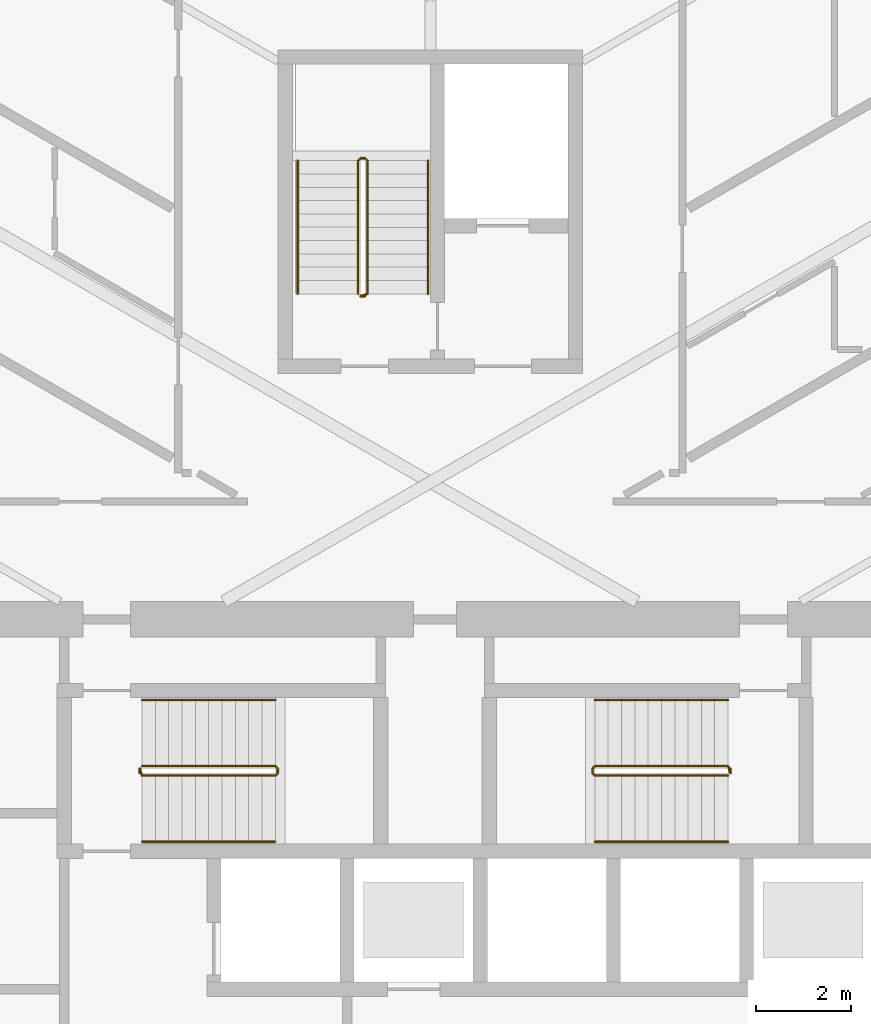
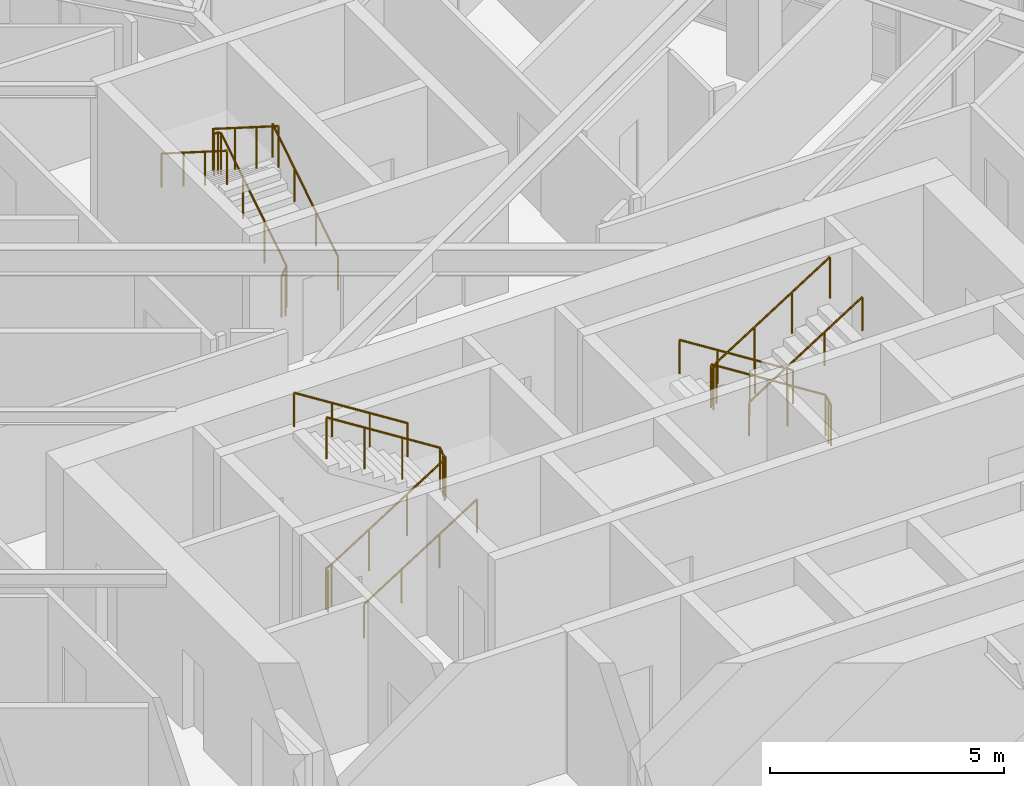
# One storey, part 25 of 26: 9 railings.
"""IFC4 building model written with IfcOpenShell, lengths in metres."""

from ifc_helpers import new_model, si_unit, direction, frame, origin, origin_2d, place, context, subcontext, project, spatial, circle, extrude, material, type_object, element, save


model = new_model("IFC4")

# Units and contexts
model_context = context("Model", 3, precision=1e-05, world=origin(), true_north=direction((0.0, 1.0)))
body_context = subcontext(model_context, "Body", "Model", "MODEL_VIEW")
ifc_project = project(units=[si_unit("LENGTHUNIT", "METRE"), si_unit("AREAUNIT", "SQUARE_METRE"), si_unit("VOLUMEUNIT", "CUBIC_METRE"), si_unit("PLANEANGLEUNIT", "RADIAN"), si_unit("MASSUNIT", "GRAM", prefix="KILO")], contexts=[model_context])

# Site, building, storey
site_placement = place(None, origin())
site = spatial("IfcSite", under=ifc_project, at=site_placement, CompositionType="ELEMENT")
building_placement = place(site_placement, origin())
building = spatial("IfcBuilding", under=site, at=building_placement, Name="Firuza Gate Tower and Library", CompositionType="ELEMENT")
storey_placement = place(building_placement, frame((0.0, 0.0, 155.800048828125)))
storey = spatial("IfcBuildingStorey", under=building, at=storey_placement, Name="L35", CompositionType="ELEMENT", Elevation=155.800048828125)

# Railings
ifc_material_1 = material(Name="Steel S355", Category="steel")
railing_type_1 = type_object("IfcRailingType", Name="Stair guard 1100", PredefinedType="GUARDRAIL", material=ifc_material_1)
railing_1_placement = place(storey_placement, frame((68.889892578125, 79.389892578125, 0.0)))
element("IfcRailing", 1, at=railing_1_placement, inside=storey, type_object=railing_type_1, Name="L35 ST1 stair guard 1", PredefinedType="GUARDRAIL", context=body_context, shape_type="SweptSolid", body=[
    extrude(circle(Radius=0.02392578125, at=origin_2d()), frame((0.0, 0.0, 1.076171875), z_axis=(0.0, 1.0, 0.0), x_axis=(-1.0, 0.0, 0.0)), (0.0, 0.0, 1.0), 0.10009765625),
    extrude(circle(Radius=0.02392578125, at=origin_2d()), frame((0.0, 0.10009765625, 1.076171875), z_axis=(0.210758951027, -0.631248760638, 0.74639511437), x_axis=(0.948528701346, 0.316691178788, 0.0)), (0.0, 0.0, 1.0), 0.237548828125),
    extrude(circle(Radius=0.02392578125, at=origin_2d()), frame((0.050048828125, -0.0498046875, 1.25341796875), z_axis=(0.844908973607, 0.0, 0.534910110503), x_axis=(0.0, 1.0, 0.0)), (0.0, 0.0, 1.0), 3.31396484375),
    extrude(circle(Radius=0.02392578125, at=origin_2d()), frame((2.85009765625, -0.0498046875, 3.02587890625), z_axis=(0.708833529934, 0.705375805398, 0.0), x_axis=(-0.705375805398, 0.708833529934, 0.0)), (0.0, 0.0, 1.0), 0.070556640625),
    extrude(circle(Radius=0.02392578125, at=origin_2d()), frame((2.900146484375, 0.0, 3.02587890625), z_axis=(0.0, 1.0, 0.0), x_axis=(-1.0, 0.0, 0.0)), (0.0, 0.0, 1.0), 0.10009765625),
    extrude(circle(Radius=0.02392578125, at=origin_2d()), frame((2.900146484375, 0.10009765625, 3.02587890625), z_axis=(-0.262233686654, 0.262233686654, 0.928691007369), x_axis=(-0.707106781187, -0.707106781187, 0.0)), (0.0, 0.0, 1.0), 0.19091796875),
    extrude(circle(Radius=0.02392578125, at=origin_2d()), frame((2.85009765625, 0.150146484375, 3.203125), z_axis=(-0.844908973607, 0.0, 0.534910110503), x_axis=(0.0, -1.0, 0.0)), (0.0, 0.0, 1.0), 3.31396484375),
    extrude(circle(Radius=0.02099609375, at=origin_2d()), origin(), (0.0, 0.0, 1.0), 1.052001953125),
    extrude(circle(Radius=0.02099609375, at=origin_2d()), frame((0.0, 0.10009765625, 0.0)), (0.0, 0.0, 1.0), 1.052001953125),
    extrude(circle(Radius=0.02099609375, at=origin_2d()), frame((0.050048828125, -0.0498046875, 0.17724609375)), (0.0, 0.0, 1.0), 1.052001953125),
    extrude(circle(Radius=0.02099609375, at=origin_2d()), frame((0.9833984375, -0.0498046875, 0.76806640625)), (0.0, 0.0, 1.0), 1.052001953125),
    extrude(circle(Radius=0.02099609375, at=origin_2d()), frame((1.916748046875, -0.0498046875, 1.359130859375)), (0.0, 0.0, 1.0), 1.052001953125),
    extrude(circle(Radius=0.02099609375, at=origin_2d()), frame((2.85009765625, -0.0498046875, 1.949951171875)), (0.0, 0.0, 1.0), 1.052001953125),
    extrude(circle(Radius=0.02099609375, at=origin_2d()), frame((2.900146484375, 0.0, 1.949951171875)), (0.0, 0.0, 1.0), 1.052001953125),
    extrude(circle(Radius=0.02099609375, at=origin_2d()), frame((2.900146484375, 0.10009765625, 1.949951171875)), (0.0, 0.0, 1.0), 1.052001953125),
    extrude(circle(Radius=0.02099609375, at=origin_2d()), frame((2.85009765625, 0.150146484375, 2.127197265625)), (0.0, 0.0, 1.0), 1.052001953125),
    extrude(circle(Radius=0.02099609375, at=origin_2d()), frame((1.916748046875, 0.150146484375, 2.718017578125)), (0.0, 0.0, 1.0), 1.052001953125),
    extrude(circle(Radius=0.02099609375, at=origin_2d()), frame((0.9833984375, 0.150146484375, 3.30908203125)), (0.0, 0.0, 1.0), 1.052001953125),
    extrude(circle(Radius=0.02099609375, at=origin_2d()), frame((0.050048828125, 0.150146484375, 3.89990234375)), (0.0, 0.0, 1.0), 1.052001953125),
])
railing_2_placement = place(storey_placement, frame((81.31005859375, 79.489990234375, 0.0)))
element("IfcRailing", 2, at=railing_2_placement, inside=storey, type_object=railing_type_1, Name="L35 ST2 stair guard 1", PredefinedType="GUARDRAIL", context=body_context, shape_type="SweptSolid", body=[
    extrude(circle(Radius=0.02392578125, at=origin_2d()), frame((0.0, 0.0, 1.076171875), z_axis=(0.0, -1.0, 0.0), x_axis=(1.0, 0.0, 0.0)), (0.0, 0.0, 1.0), 0.10009765625),
    extrude(circle(Radius=0.02392578125, at=origin_2d()), frame((0.0, -0.10009765625, 1.076171875), z_axis=(-0.210622194084, 0.631866582253, 0.74591079466), x_axis=(-0.948683298051, -0.316227766017, 0.0)), (0.0, 0.0, 1.0), 0.237548828125),
    extrude(circle(Radius=0.02392578125, at=origin_2d()), frame((-0.050048828125, 0.050048828125, 1.25341796875), z_axis=(-0.844908973607, 0.0, 0.534910110503), x_axis=(0.0, -1.0, 0.0)), (0.0, 0.0, 1.0), 3.31396484375),
    extrude(circle(Radius=0.02392578125, at=origin_2d()), frame((-2.85009765625, 0.050048828125, 3.02587890625), z_axis=(-0.707106781187, -0.707106781187, 0.0), x_axis=(0.707106781187, -0.707106781187, 0.0)), (0.0, 0.0, 1.0), 0.07080078125),
    extrude(circle(Radius=0.02392578125, at=origin_2d()), frame((-2.900146484375, 0.0, 3.02587890625), z_axis=(0.0, -1.0, 0.0), x_axis=(1.0, 0.0, 0.0)), (0.0, 0.0, 1.0), 0.10009765625),
    extrude(circle(Radius=0.02392578125, at=origin_2d()), frame((-2.900146484375, -0.10009765625, 3.02587890625), z_axis=(0.262321481514, -0.261041864531, 0.929001929653), x_axis=(0.705375805398, 0.708833529934, 0.0)), (0.0, 0.0, 1.0), 0.190673828125),
    extrude(circle(Radius=0.02392578125, at=origin_2d()), frame((-2.85009765625, -0.14990234375, 3.203125), z_axis=(0.844908973607, 0.0, 0.534910110503), x_axis=(0.0, 1.0, 0.0)), (0.0, 0.0, 1.0), 3.31396484375),
    extrude(circle(Radius=0.02099609375, at=origin_2d()), origin(), (0.0, 0.0, 1.0), 1.052001953125),
    extrude(circle(Radius=0.02099609375, at=origin_2d()), frame((0.0, -0.10009765625, 0.0)), (0.0, 0.0, 1.0), 1.052001953125),
    extrude(circle(Radius=0.02099609375, at=origin_2d()), frame((-0.050048828125, 0.050048828125, 0.17724609375)), (0.0, 0.0, 1.0), 1.052001953125),
    extrude(circle(Radius=0.02099609375, at=origin_2d()), frame((-0.9833984375, 0.050048828125, 0.76806640625)), (0.0, 0.0, 1.0), 1.052001953125),
    extrude(circle(Radius=0.02099609375, at=origin_2d()), frame((-1.916748046875, 0.050048828125, 1.359130859375)), (0.0, 0.0, 1.0), 1.052001953125),
    extrude(circle(Radius=0.02099609375, at=origin_2d()), frame((-2.85009765625, 0.050048828125, 1.949951171875)), (0.0, 0.0, 1.0), 1.052001953125),
    extrude(circle(Radius=0.02099609375, at=origin_2d()), frame((-2.900146484375, 0.0, 1.949951171875)), (0.0, 0.0, 1.0), 1.052001953125),
    extrude(circle(Radius=0.02099609375, at=origin_2d()), frame((-2.900146484375, -0.10009765625, 1.949951171875)), (0.0, 0.0, 1.0), 1.052001953125),
    extrude(circle(Radius=0.02099609375, at=origin_2d()), frame((-2.85009765625, -0.14990234375, 2.127197265625)), (0.0, 0.0, 1.0), 1.052001953125),
    extrude(circle(Radius=0.02099609375, at=origin_2d()), frame((-1.916748046875, -0.14990234375, 2.718017578125)), (0.0, 0.0, 1.0), 1.052001953125),
    extrude(circle(Radius=0.02099609375, at=origin_2d()), frame((-0.9833984375, -0.14990234375, 3.30908203125)), (0.0, 0.0, 1.0), 1.052001953125),
    extrude(circle(Radius=0.02099609375, at=origin_2d()), frame((-0.050048828125, -0.14990234375, 3.89990234375)), (0.0, 0.0, 1.0), 1.052001953125),
])
railing_3_placement = place(storey_placement, frame((73.6298828125, 89.419921875, 0.0)))
element("IfcRailing", 3, at=railing_3_placement, inside=storey, type_object=railing_type_1, Name="L35 ST3 stair guard 1", PredefinedType="GUARDRAIL", context=body_context, shape_type="SweptSolid", body=[
    extrude(circle(Radius=0.02392578125, at=origin_2d()), frame((0.0, 0.0, 1.076171875), z_axis=(-1.0, 0.0, 0.0), x_axis=(0.0, -1.0, 0.0)), (0.0, 0.0, 1.0), 0.099853515625),
    extrude(circle(Radius=0.02392578125, at=origin_2d()), frame((-0.099853515625, 0.0, 1.076171875), z_axis=(0.631248760638, 0.210758951027, 0.74639511437), x_axis=(-0.316691178788, 0.948528701346, 0.0)), (0.0, 0.0, 1.0), 0.237548828125),
    extrude(circle(Radius=0.02392578125, at=origin_2d()), frame((0.050048828125, 0.050048828125, 1.25341796875), z_axis=(0.0, 0.844908973607, 0.534910110503), x_axis=(-1.0, 0.0, 0.0)), (0.0, 0.0, 1.0), 3.31396484375),
    extrude(circle(Radius=0.02392578125, at=origin_2d()), frame((0.050048828125, 2.85009765625, 3.02587890625), z_axis=(-0.707106781187, 0.707106781187, 0.0), x_axis=(-0.707106781187, -0.707106781187, 0.0)), (0.0, 0.0, 1.0), 0.07080078125),
    extrude(circle(Radius=0.02392578125, at=origin_2d()), frame((0.0, 2.900146484375, 3.02587890625), z_axis=(-1.0, 0.0, 0.0), x_axis=(0.0, -1.0, 0.0)), (0.0, 0.0, 1.0), 0.099853515625),
    extrude(circle(Radius=0.02392578125, at=origin_2d()), frame((-0.099853515625, 2.900146484375, 3.02587890625), z_axis=(-0.262233686654, -0.262233686654, 0.928691007369), x_axis=(0.707106781187, -0.707106781187, 0.0)), (0.0, 0.0, 1.0), 0.19091796875),
    extrude(circle(Radius=0.02392578125, at=origin_2d()), frame((-0.14990234375, 2.85009765625, 3.203125), z_axis=(0.0, -0.844908973607, 0.534910110503), x_axis=(1.0, 0.0, 0.0)), (0.0, 0.0, 1.0), 3.31396484375),
    extrude(circle(Radius=0.02099609375, at=origin_2d()), origin(), (0.0, 0.0, 1.0), 1.052001953125),
    extrude(circle(Radius=0.02099609375, at=origin_2d()), frame((-0.099853515625, 0.0, 0.0)), (0.0, 0.0, 1.0), 1.052001953125),
    extrude(circle(Radius=0.02099609375, at=origin_2d()), frame((0.050048828125, 0.050048828125, 0.17724609375)), (0.0, 0.0, 1.0), 1.052001953125),
    extrude(circle(Radius=0.02099609375, at=origin_2d()), frame((0.050048828125, 0.9833984375, 0.76806640625)), (0.0, 0.0, 1.0), 1.052001953125),
    extrude(circle(Radius=0.02099609375, at=origin_2d()), frame((0.050048828125, 1.916748046875, 1.359130859375)), (0.0, 0.0, 1.0), 1.052001953125),
    extrude(circle(Radius=0.02099609375, at=origin_2d()), frame((0.050048828125, 2.85009765625, 1.949951171875)), (0.0, 0.0, 1.0), 1.052001953125),
    extrude(circle(Radius=0.02099609375, at=origin_2d()), frame((0.0, 2.900146484375, 1.949951171875)), (0.0, 0.0, 1.0), 1.052001953125),
    extrude(circle(Radius=0.02099609375, at=origin_2d()), frame((-0.099853515625, 2.900146484375, 1.949951171875)), (0.0, 0.0, 1.0), 1.052001953125),
    extrude(circle(Radius=0.02099609375, at=origin_2d()), frame((-0.14990234375, 2.85009765625, 2.127197265625)), (0.0, 0.0, 1.0), 1.052001953125),
    extrude(circle(Radius=0.02099609375, at=origin_2d()), frame((-0.14990234375, 1.916748046875, 2.718017578125)), (0.0, 0.0, 1.0), 1.052001953125),
    extrude(circle(Radius=0.02099609375, at=origin_2d()), frame((-0.14990234375, 0.9833984375, 3.30908203125)), (0.0, 0.0, 1.0), 1.052001953125),
    extrude(circle(Radius=0.02099609375, at=origin_2d()), frame((-0.14990234375, 0.050048828125, 3.89990234375)), (0.0, 0.0, 1.0), 1.052001953125),
])
ifc_material_2 = material(Name="Steel S355", Category="steel")
railing_type_2 = type_object("IfcRailingType", Name="Stair handrail 900", PredefinedType="HANDRAIL", material=ifc_material_2)
railing_4_placement = place(storey_placement, frame((68.93994140625, 77.949951171875, 0.17724609375)))
element("IfcRailing", 4, at=railing_4_placement, inside=storey, type_object=railing_type_2, Name="L35 ST1 stair handrail 1", PredefinedType="HANDRAIL", context=body_context, shape_type="SweptSolid", body=[
    extrude(circle(Radius=0.02392578125, at=origin_2d()), frame((0.0, 0.0, 0.8759765625), z_axis=(0.844908973607, 0.0, 0.534910110503), x_axis=(0.0, 1.0, 0.0)), (0.0, 0.0, 1.0), 3.31396484375),
    extrude(circle(Radius=0.02099609375, at=origin_2d()), origin(), (0.0, 0.0, 1.0), 0.851806640625),
    extrude(circle(Radius=0.02099609375, at=origin_2d()), frame((0.933349609375, 0.0, 0.5908203125)), (0.0, 0.0, 1.0), 0.851806640625),
    extrude(circle(Radius=0.02099609375, at=origin_2d()), frame((1.86669921875, 0.0, 1.181884765625)), (0.0, 0.0, 1.0), 0.851806640625),
    extrude(circle(Radius=0.02099609375, at=origin_2d()), frame((2.800048828125, 0.0, 1.772705078125)), (0.0, 0.0, 1.0), 0.851806640625),
])
for number, where, name in (
    (5, (71.739990234375, 80.929931640625, 2.127197265625), "L35 ST1 stair handrail 2"),
    (6, (81.260009765625, 80.929931640625, 0.17724609375), "L35 ST2 stair handrail 1"),
):
    element("IfcRailing", number, at=place(storey_placement, frame(where)), inside=storey, type_object=railing_type_2, Name=name, PredefinedType="HANDRAIL", context=body_context, shape_type="SweptSolid", body=[
        extrude(circle(Radius=0.02392578125, at=origin_2d()), frame((0.0, 0.0, 0.8759765625), z_axis=(-0.844908973607, 0.0, 0.534910110503), x_axis=(0.0, -1.0, 0.0)), (0.0, 0.0, 1.0), 3.31396484375),
        extrude(circle(Radius=0.02099609375, at=origin_2d()), origin(), (0.0, 0.0, 1.0), 0.851806640625),
        extrude(circle(Radius=0.02099609375, at=origin_2d()), frame((-0.933349609375, 0.0, 0.5908203125)), (0.0, 0.0, 1.0), 0.851806640625),
        extrude(circle(Radius=0.02099609375, at=origin_2d()), frame((-1.86669921875, 0.0, 1.181884765625)), (0.0, 0.0, 1.0), 0.851806640625),
        extrude(circle(Radius=0.02099609375, at=origin_2d()), frame((-2.800048828125, 0.0, 1.772705078125)), (0.0, 0.0, 1.0), 0.851806640625),
    ])
railing_5_placement = place(storey_placement, frame((78.4599609375, 77.949951171875, 2.127197265625)))
element("IfcRailing", 7, at=railing_5_placement, inside=storey, type_object=railing_type_2, Name="L35 ST2 stair handrail 2", PredefinedType="HANDRAIL", context=body_context, shape_type="SweptSolid", body=[
    extrude(circle(Radius=0.02392578125, at=origin_2d()), frame((0.0, 0.0, 0.8759765625), z_axis=(0.844908973607, 0.0, 0.534910110503), x_axis=(0.0, 1.0, 0.0)), (0.0, 0.0, 1.0), 3.31396484375),
    extrude(circle(Radius=0.02099609375, at=origin_2d()), origin(), (0.0, 0.0, 1.0), 0.851806640625),
    extrude(circle(Radius=0.02099609375, at=origin_2d()), frame((0.933349609375, 0.0, 0.5908203125)), (0.0, 0.0, 1.0), 0.851806640625),
    extrude(circle(Radius=0.02099609375, at=origin_2d()), frame((1.86669921875, 0.0, 1.181884765625)), (0.0, 0.0, 1.0), 0.851806640625),
    extrude(circle(Radius=0.02099609375, at=origin_2d()), frame((2.800048828125, 0.0, 1.772705078125)), (0.0, 0.0, 1.0), 0.851806640625),
])
railing_6_placement = place(storey_placement, frame((74.949951171875, 89.469970703125, 0.17724609375)))
element("IfcRailing", 8, at=railing_6_placement, inside=storey, type_object=railing_type_2, Name="L35 ST3 stair handrail 1", PredefinedType="HANDRAIL", context=body_context, shape_type="SweptSolid", body=[
    extrude(circle(Radius=0.02392578125, at=origin_2d()), frame((0.0, 0.0, 0.8759765625), z_axis=(0.0, 0.844908973607, 0.534910110503), x_axis=(-1.0, 0.0, 0.0)), (0.0, 0.0, 1.0), 3.31396484375),
    extrude(circle(Radius=0.02099609375, at=origin_2d()), origin(), (0.0, 0.0, 1.0), 0.851806640625),
    extrude(circle(Radius=0.02099609375, at=origin_2d()), frame((0.0, 0.933349609375, 0.5908203125)), (0.0, 0.0, 1.0), 0.851806640625),
    extrude(circle(Radius=0.02099609375, at=origin_2d()), frame((0.0, 1.86669921875, 1.181884765625)), (0.0, 0.0, 1.0), 0.851806640625),
    extrude(circle(Radius=0.02099609375, at=origin_2d()), frame((0.0, 2.800048828125, 1.772705078125)), (0.0, 0.0, 1.0), 0.851806640625),
])
railing_7_placement = place(storey_placement, frame((72.2099609375, 92.27001953125, 2.127197265625)))
element("IfcRailing", 9, at=railing_7_placement, inside=storey, type_object=railing_type_2, Name="L35 ST3 stair handrail 2", PredefinedType="HANDRAIL", context=body_context, shape_type="SweptSolid", body=[
    extrude(circle(Radius=0.02392578125, at=origin_2d()), frame((0.0, 0.0, 0.8759765625), z_axis=(0.0, -0.844908973607, 0.534910110503), x_axis=(1.0, 0.0, 0.0)), (0.0, 0.0, 1.0), 3.31396484375),
    extrude(circle(Radius=0.02099609375, at=origin_2d()), origin(), (0.0, 0.0, 1.0), 0.851806640625),
    extrude(circle(Radius=0.02099609375, at=origin_2d()), frame((0.0, -0.933349609375, 0.5908203125)), (0.0, 0.0, 1.0), 0.851806640625),
    extrude(circle(Radius=0.02099609375, at=origin_2d()), frame((0.0, -1.86669921875, 1.181884765625)), (0.0, 0.0, 1.0), 0.851806640625),
    extrude(circle(Radius=0.02099609375, at=origin_2d()), frame((0.0, -2.800048828125, 1.772705078125)), (0.0, 0.0, 1.0), 0.851806640625),
])

save(model, "model.ifc")
